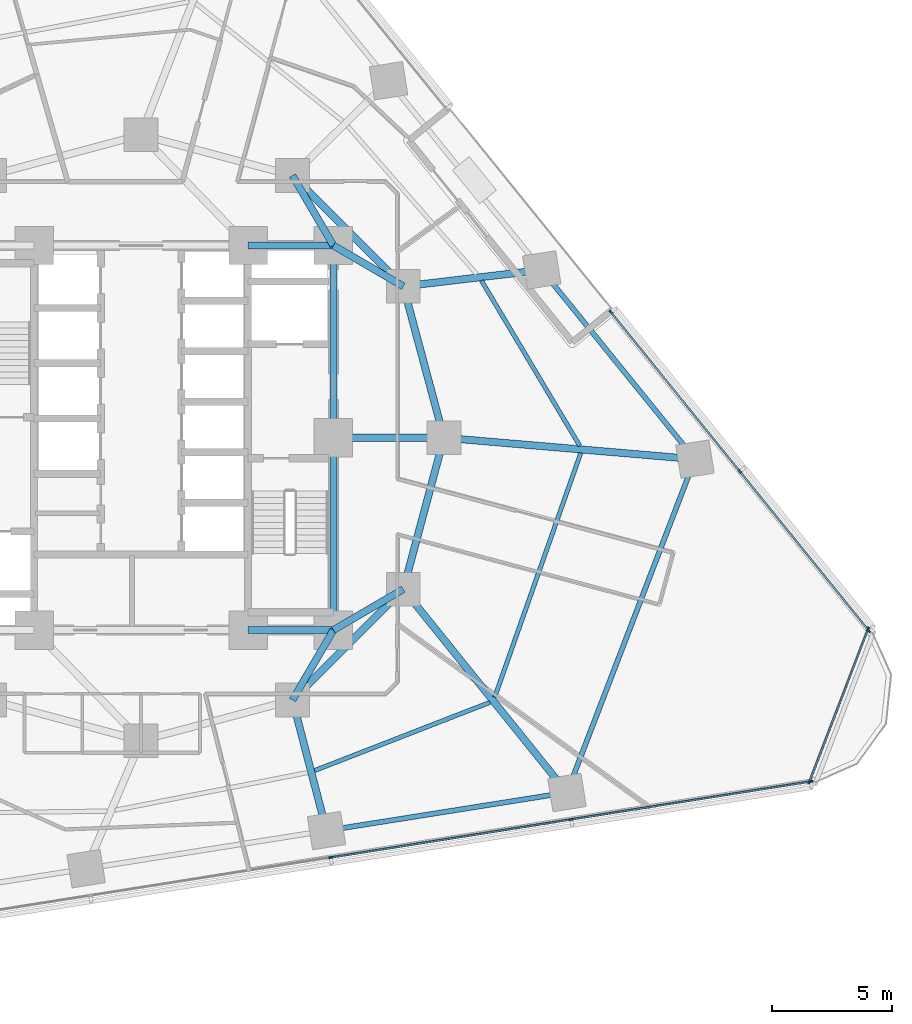
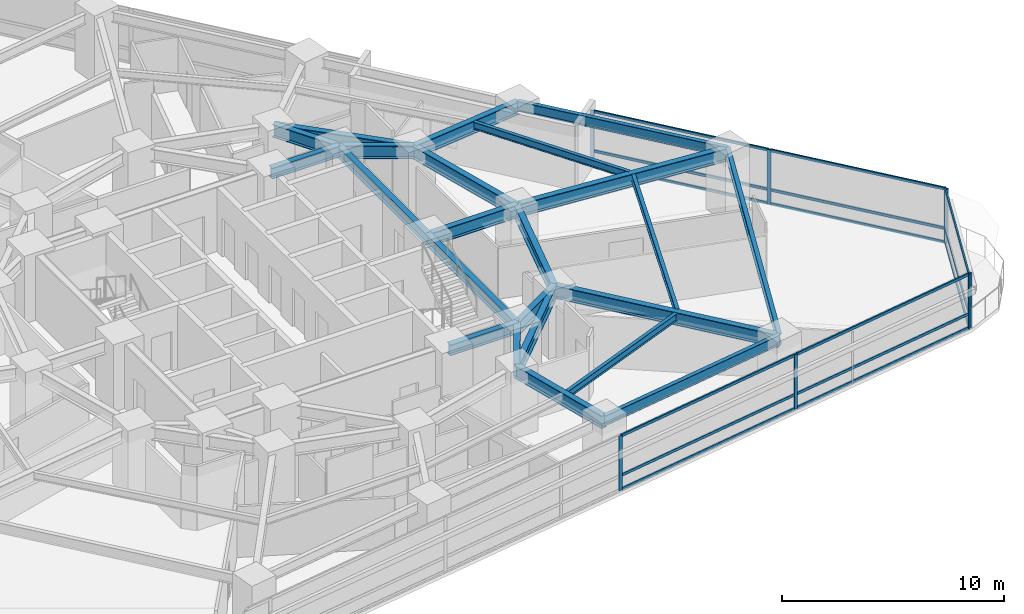
# One storey, part 4 of 14: 23 beams, 23 members, 3 elements without a shape of their own.
"""IFC4 building model written with IfcOpenShell, lengths in metres."""

import ifcopenshell
import ifcopenshell.guid

model = None  # the IFC model being written
_history = None  # IfcOwnerHistory: only IFC2X3 demands one
_inside = {}  # id of a spatial element -> (the spatial element, [elements in it])
_under = {}  # id of a project, library or spatial element -> (it, [spatial elements below it])
_declared = {}  # id of a project -> (the project, [libraries it declares])
_typed = {}  # id of a type object -> (the type object, [elements of that type])
_made_of = {}  # id of a material, layer set ... -> (it, [elements and type objects made of it])


def new_model(schema):
    """Start an empty IFC model of exactly this schema.

    Asked for "IFC4X3", IfcOpenShell would pick the latest addendum, in which some entities
    have other attributes; the version numbers below select the first issue.
    IFC2X3 requires an IfcOwnerHistory on every rooted entity: one is made here for all.
    """
    global model, _history
    if schema == "IFC4X3":
        model = ifcopenshell.file(schema_version=(4, 3, 0, 0))
    else:
        model = ifcopenshell.file(schema=schema)
    _inside.clear()
    _under.clear()
    _declared.clear()
    _typed.clear()
    _made_of.clear()
    _history = None
    if model.schema == "IFC2X3":
        org = make("IfcOrganization", Name="unknown")
        user = make(
            "IfcPersonAndOrganization",
            ThePerson=make("IfcPerson", FamilyName="unknown"),
            TheOrganization=org,
        )
        app = make(
            "IfcApplication",
            ApplicationDeveloper=org,
            Version="unknown",
            ApplicationFullName="unknown",
            ApplicationIdentifier="unknown",
        )
        _history = make(
            "IfcOwnerHistory",
            OwningUser=user,
            OwningApplication=app,
            ChangeAction="ADDED",
            CreationDate=0,
        )
    return model


def make(cls, **values):
    """One entity of the class cls with the attributes given. An attribute that is None is left unset."""
    return model.create_entity(
        cls, **{name: value for name, value in values.items() if value is not None}
    )


def rooted(cls, **values):
    """An entity with a GlobalId (a new one), such as an element, a storey or a relation."""
    return make(cls, GlobalId=ifcopenshell.guid.new(), OwnerHistory=_history, **values)


def si_unit(unit_type, name, prefix=None):
    """IfcSIUnit, for example si_unit("LENGTHUNIT", "METRE", prefix="MILLI")."""
    return make("IfcSIUnit", UnitType=unit_type, Prefix=prefix, Name=name)


def assignment(units):
    """IfcUnitAssignment: the units of a project."""
    return None if units is None else make("IfcUnitAssignment", Units=units)


def point(xyz):
    """IfcCartesianPoint."""
    return None if xyz is None else make("IfcCartesianPoint", Coordinates=xyz)


def direction(xyz):
    """IfcDirection."""
    return None if xyz is None else make("IfcDirection", DirectionRatios=xyz)


def frame(location, z_axis=None, x_axis=None):
    """IfcAxis2Placement3D, a coordinate frame: its origin and axes. An axis left out is left unset."""
    return make(
        "IfcAxis2Placement3D",
        Location=point(location),
        Axis=direction(z_axis),
        RefDirection=direction(x_axis),
    )


def frame_2d(location, x_axis=None):
    """IfcAxis2Placement2D, a coordinate frame in the plane: its origin and x axis."""
    return make(
        "IfcAxis2Placement2D", Location=point(location), RefDirection=direction(x_axis)
    )


def origin():
    """The frame at (0, 0, 0) with its axes left unset."""
    return frame((0.0, 0.0, 0.0))


def origin_2d():
    """The frame at (0, 0) in the plane with its x axis left unset."""
    return frame_2d((0.0, 0.0))


def place(relative_to, where):
    """IfcLocalPlacement: puts the frame where relative to a parent placement (None: the world)."""
    return make(
        "IfcLocalPlacement", PlacementRelTo=relative_to, RelativePlacement=where
    )


def context(
    kind, dimensions, precision=None, world=None, true_north=None, identifier=None
):
    """IfcGeometricRepresentationContext, for example the 3D "Model" context."""
    return make(
        "IfcGeometricRepresentationContext",
        ContextIdentifier=identifier,
        ContextType=kind,
        CoordinateSpaceDimension=dimensions,
        Precision=precision,
        WorldCoordinateSystem=world,
        TrueNorth=true_north,
    )


def subcontext(parent, identifier, kind, view, scale=None):
    """IfcGeometricRepresentationSubContext, for example "Body" below "Model"."""
    return make(
        "IfcGeometricRepresentationSubContext",
        ContextIdentifier=identifier,
        ContextType=kind,
        ParentContext=parent,
        TargetScale=scale,
        TargetView=view,
    )


def project(units=None, contexts=None):
    """IfcProject with its units and contexts."""
    return rooted(
        "IfcProject",
        Name="project",
        RepresentationContexts=contexts,
        UnitsInContext=assignment(units),
    )


def spatial(cls, under=None, at=None, **own):
    """A site, building, storey or space (cls), placed at a placement, below another one or the project."""
    s = rooted(cls, ObjectPlacement=at, **own)
    if under is not None:
        _under.setdefault(under.id(), (under, []))[1].append(s)
    return s


def profile(cls, at=None, kind="AREA", **sizes):
    """A parametric profile (cls). Its sizes go by their IFC names, for example OverallWidth=200.0."""
    return make(cls, ProfileType=kind, Position=at, **sizes)


def rectangle(**sizes):
    """IfcRectangleProfileDef."""
    return profile("IfcRectangleProfileDef", **sizes)


def i_section(**sizes):
    """IfcIShapeProfileDef."""
    return profile("IfcIShapeProfileDef", **sizes)


def extrude(swept, where, along, depth):
    """IfcExtrudedAreaSolid: the profile swept, set in the frame where, extruded along a direction by depth."""
    return make(
        "IfcExtrudedAreaSolid",
        SweptArea=swept,
        Position=where,
        ExtrudedDirection=direction(along),
        Depth=depth,
    )


def shape(context_of_items, identifier, shape_type, items):
    """IfcShapeRepresentation: the items that make up one representation, for example the "Body"."""
    return make(
        "IfcShapeRepresentation",
        ContextOfItems=context_of_items,
        RepresentationIdentifier=identifier,
        RepresentationType=shape_type,
        Items=items,
    )


def material(Name=None, Category=None):
    """IfcMaterial."""
    return make("IfcMaterial", Name=Name, Category=Category)


def layer(
    of_material, thickness, ventilated=None, Name=None, Category=None, Priority=None
):
    """IfcMaterialLayer: one layer of a wall or slab, of a material (None: an air gap)."""
    return make(
        "IfcMaterialLayer",
        Material=of_material,
        LayerThickness=thickness,
        IsVentilated=ventilated,
        Name=Name,
        Category=Category,
        Priority=Priority,
    )


def layer_set(layers, Name=None):
    """IfcMaterialLayerSet."""
    return make("IfcMaterialLayerSet", MaterialLayers=layers, LayerSetName=Name)


def material_profile(
    of_material, cross_section, Name=None, Category=None, Priority=None
):
    """IfcMaterialProfile: a cross section and its material."""
    return make(
        "IfcMaterialProfile",
        Name=Name,
        Material=of_material,
        Profile=cross_section,
        Priority=Priority,
        Category=Category,
    )


def profile_set(profiles, Name=None, composite=None):
    """IfcMaterialProfileSet."""
    return make(
        "IfcMaterialProfileSet",
        Name=Name,
        MaterialProfiles=profiles,
        CompositeProfile=composite,
    )


def made_of(thing, what):
    """Note that an element or type object is made of a material, layer set ...; save() writes the relation."""
    if what is not None:
        _made_of.setdefault(what.id(), (what, []))[1].append(thing)
    return thing


def type_object(cls, material=None, **own):
    """A type object (cls), such as IfcWallType, which elements share."""
    return made_of(rooted(cls, **own), material)


def element(
    cls,
    number,
    at=None,
    inside=None,
    cuts=None,
    type_object=None,
    material=None,
    context=None,
    identifier="Body",
    shape_type=None,
    held_by="IfcProductDefinitionShape",
    body=None,
    shapes=None,
    **own,
):
    """One element of the class cls, such as IfcWall. Its Tag is "e" and its number.

    at: its placement. inside: the storey or other place that contains it. cuts: it is an
    opening in that element (IfcRelVoidsElement). A single representation is given by context,
    identifier, shape_type and body (its items); several are given by shapes. held_by: the class
    of the entity that holds the representations. save() writes the other relations.
    """
    e = rooted(cls, Tag="e%d" % number, ObjectPlacement=at, **own)
    if body is not None:
        shapes = [shape(context, identifier, shape_type, body)]
    if shapes is not None:
        e.Representation = make(held_by, Representations=shapes)
    if inside is not None:
        _inside.setdefault(inside.id(), (inside, []))[1].append(e)
    if cuts is not None:
        rooted(
            "IfcRelVoidsElement", RelatingBuildingElement=cuts, RelatedOpeningElement=e
        )
    if type_object is not None:
        _typed.setdefault(type_object.id(), (type_object, []))[1].append(e)
    return made_of(e, material)


def aggregate(whole, parts):
    """IfcRelAggregates: a whole, such as a stair, and the parts it consists of."""
    return rooted("IfcRelAggregates", RelatingObject=whole, RelatedObjects=parts)


def save(model, path):
    """Write the relations noted so far, then the file.

    IfcRelAggregates (storeys below a building ...), IfcRelContainedInSpatialStructure (elements
    in a storey), IfcRelDefinesByType, IfcRelAssociatesMaterial and IfcRelDeclares: one each for
    every whole, place, type object, material and project.
    """
    for whole, parts in _under.values():
        aggregate(whole, parts)
    for where, things in _inside.values():
        rooted(
            "IfcRelContainedInSpatialStructure",
            RelatedElements=things,
            RelatingStructure=where,
        )
    for kind, things in _typed.values():
        rooted("IfcRelDefinesByType", RelatedObjects=things, RelatingType=kind)
    for what, things in _made_of.values():
        rooted("IfcRelAssociatesMaterial", RelatedObjects=things, RelatingMaterial=what)
    for by, libraries in _declared.values():
        rooted("IfcRelDeclares", RelatingContext=by, RelatedDefinitions=libraries)
    model.write(path)


model = new_model("IFC4")

# Units and contexts
model_context = context("Model", 3, precision=1e-05, world=origin(), true_north=direction((0.0, 1.0)))
body_context = subcontext(model_context, "Body", "Model", "MODEL_VIEW")
ifc_project = project(units=[si_unit("LENGTHUNIT", "METRE"), si_unit("AREAUNIT", "SQUARE_METRE"), si_unit("VOLUMEUNIT", "CUBIC_METRE"), si_unit("PLANEANGLEUNIT", "RADIAN"), si_unit("MASSUNIT", "GRAM", prefix="KILO")], contexts=[model_context])

# Site, building, storey
site_placement = place(None, origin())
site = spatial("IfcSite", under=ifc_project, at=site_placement, CompositionType="ELEMENT")
building_placement = place(site_placement, origin())
building = spatial("IfcBuilding", under=site, at=building_placement, Name="Terralouvre Media Tower", CompositionType="ELEMENT")
storey_placement = place(building_placement, frame((0.0, 0.0, 63.0)))
storey = spatial("IfcBuildingStorey", under=building, at=storey_placement, Name="L15", CompositionType="ELEMENT", Elevation=63.0)

# Beams
ifc_material_1 = material(Name="Structural steel S355J2", Category="steel")
ifc_material_profile_1 = material_profile(ifc_material_1, i_section(OverallWidth=0.179931640625, OverallDepth=0.39990234375, WebThickness=0.008544921875, FlangeThickness=0.013427734375, at=origin_2d()), Name="IPE 400")
ifc_profile_set_1 = profile_set([ifc_material_profile_1], Name="Structural steel S355J2")
beam_type_1 = type_object("IfcBeamType", Name="Composite Floor Joist J-IPE400 (IPE 400)", PredefinedType="JOIST", material=ifc_profile_set_1)
beam_1_placement = place(storey_placement, frame((7.21826171875, -13.844482421875, 3.300048828125), z_axis=(0.931999401601, 0.362459812139, 0.0), x_axis=(-0.362459812139, 0.931999401601, 0.0)))
element("IfcBeam", 1, at=beam_1_placement, inside=storey, type_object=beam_type_1, Name="L15 Framing Beam JT-L15-04", PredefinedType="JOIST", context=body_context, shape_type="SweptSolid", body=[
    extrude(i_section(OverallWidth=0.179931640625, OverallDepth=0.39990234375, WebThickness=0.008544921875, FlangeThickness=0.013427734375, at=origin_2d()), origin(), (0.0, 0.0, 1.0), 7.82470703125),
])
beam_2_placement = place(storey_placement, frame((14.713623046875, -10.78759765625, 3.300048828125), z_axis=(0.332419189209, 0.943131741935, 0.0), x_axis=(-0.943131741935, 0.332419189209, 0.0)))
element("IfcBeam", 2, at=beam_2_placement, inside=storey, type_object=beam_type_1, Name="L15 Framing Beam JT-L15-05", PredefinedType="JOIST", context=body_context, shape_type="SweptSolid", body=[
    extrude(i_section(OverallWidth=0.179931640625, OverallDepth=0.39990234375, WebThickness=0.008544921875, FlangeThickness=0.013427734375, at=origin_2d()), origin(), (0.0, 0.0, 1.0), 10.766845703125),
])
beam_3_placement = place(storey_placement, frame((18.250244140625, -0.331787109375, 3.300048828125), z_axis=(-0.511572999737, 0.859239818642, 0.0), x_axis=(-0.859239818642, -0.511572999737, 0.0)))
element("IfcBeam", 3, at=beam_3_placement, inside=storey, type_object=beam_type_1, Name="L15 Framing Beam JT-L15-06", PredefinedType="JOIST", context=body_context, shape_type="SweptSolid", body=[
    extrude(i_section(OverallWidth=0.179931640625, OverallDepth=0.39990234375, WebThickness=0.008544921875, FlangeThickness=0.013427734375, at=origin_2d()), origin(), (0.0, 0.0, 1.0), 7.99267578125),
])

# Curtain wall, members
ifc_material_2 = material(Name="Low-iron laminated double glazing with solar-control coating", Category="glass")
ifc_layer_1 = layer(ifc_material_2, 0.1650390625, Name="Lower Media Tower Unitised Curtain Wall CW-02")
ifc_layer_set_1 = layer_set([ifc_layer_1], Name="Low-iron laminated double glazing with solar-control coating")
curtain_wall_type_1 = type_object("IfcCurtainWallType", Name="Lower Media Tower Unitised Curtain Wall CW-02", PredefinedType="NOTDEFINED", material=ifc_layer_set_1)
curtain_wall_1_placement = place(storey_placement, origin())
curtain_wall_1 = element("IfcCurtainWall", 4, at=curtain_wall_1_placement, inside=storey, type_object=curtain_wall_type_1, Name="L15 Facade Curtain Wall F0", PredefinedType="NOTDEFINED")
ifc_material_3 = material(Name="Anodised extruded aluminium 6063-T6", Category="aluminium")
ifc_material_profile_2 = material_profile(ifc_material_3, rectangle(XDim=0.074951171875, YDim=0.14990234375, at=origin_2d()), Name="ALU 75x150")
ifc_profile_set_2 = profile_set([ifc_material_profile_2], Name="Anodised extruded aluminium 6063-T6")
member_type_1 = type_object("IfcMemberType", Name="Curtain-Wall Horizontal Transom TR-150", PredefinedType="USERDEFINED", material=ifc_profile_set_2)
member_1_placement = place(storey_placement, frame((7.929443359375, -17.452880859375, 0.03759765625), z_axis=(0.987690198625, 0.156422733448, 0.0), x_axis=(-0.156422733448, 0.987690198625, 0.0)))
member_1 = element("IfcMember", 5, at=member_1_placement, type_object=member_type_1, Name="CW-02 transom 4.1", ObjectType="TRANSOM", PredefinedType="USERDEFINED", context=body_context, shape_type="SweptSolid", body=[
    extrude(rectangle(XDim=0.074951171875, YDim=0.14990234375, at=origin_2d()), origin(), (0.0, 0.0, 1.0), 10.052978515625),
])
member_2_placement = place(storey_placement, frame((7.929443359375, -17.452880859375, 0.800048828125), z_axis=(0.987690198625, 0.156422733448, 0.0), x_axis=(-0.156422733448, 0.987690198625, 0.0)))
member_2 = element("IfcMember", 6, at=member_2_placement, type_object=member_type_1, Name="CW-02 transom 4.2", ObjectType="TRANSOM", PredefinedType="USERDEFINED", context=body_context, shape_type="SweptSolid", body=[
    extrude(rectangle(XDim=0.074951171875, YDim=0.14990234375, at=origin_2d()), origin(), (0.0, 0.0, 1.0), 10.052978515625),
])
member_3_placement = place(storey_placement, frame((7.929443359375, -17.452880859375, 2.96240234375), z_axis=(0.987690198625, 0.156422733448, 0.0), x_axis=(-0.156422733448, 0.987690198625, 0.0)))
member_3 = element("IfcMember", 7, at=member_3_placement, type_object=member_type_1, Name="CW-02 transom 4.3", ObjectType="TRANSOM", PredefinedType="USERDEFINED", context=body_context, shape_type="SweptSolid", body=[
    extrude(rectangle(XDim=0.074951171875, YDim=0.14990234375, at=origin_2d()), origin(), (0.0, 0.0, 1.0), 10.052978515625),
])
member_4_placement = place(storey_placement, frame((17.9326171875, -15.86865234375, 0.03759765625), z_axis=(0.987686755457, 0.156444472878, 0.0), x_axis=(-0.156444472878, 0.987686755457, 0.0)))
member_4 = element("IfcMember", 8, at=member_4_placement, type_object=member_type_1, Name="CW-02 transom 5.1", ObjectType="TRANSOM", PredefinedType="USERDEFINED", context=body_context, shape_type="SweptSolid", body=[
    extrude(rectangle(XDim=0.074951171875, YDim=0.14990234375, at=origin_2d()), origin(), (0.0, 0.0, 1.0), 10.015625),
])
member_5_placement = place(storey_placement, frame((17.9326171875, -15.86865234375, 0.800048828125), z_axis=(0.987686755457, 0.156444472878, 0.0), x_axis=(-0.156444472878, 0.987686755457, 0.0)))
member_5 = element("IfcMember", 9, at=member_5_placement, type_object=member_type_1, Name="CW-02 transom 5.2", ObjectType="TRANSOM", PredefinedType="USERDEFINED", context=body_context, shape_type="SweptSolid", body=[
    extrude(rectangle(XDim=0.074951171875, YDim=0.14990234375, at=origin_2d()), origin(), (0.0, 0.0, 1.0), 10.015625),
])
member_6_placement = place(storey_placement, frame((17.9326171875, -15.86865234375, 2.96240234375), z_axis=(0.987686755457, 0.156444472878, 0.0), x_axis=(-0.156444472878, 0.987686755457, 0.0)))
member_6 = element("IfcMember", 10, at=member_6_placement, type_object=member_type_1, Name="CW-02 transom 5.3", ObjectType="TRANSOM", PredefinedType="USERDEFINED", context=body_context, shape_type="SweptSolid", body=[
    extrude(rectangle(XDim=0.074951171875, YDim=0.14990234375, at=origin_2d()), origin(), (0.0, 0.0, 1.0), 10.015625),
])

curtain_wall_2_placement = place(storey_placement, origin())
curtain_wall_2 = element("IfcCurtainWall", 11, at=curtain_wall_2_placement, inside=storey, type_object=curtain_wall_type_1, Name="L15 Left Flank Curtain Wall F1", PredefinedType="NOTDEFINED")
member_7_placement = place(storey_placement, frame((30.247802734375, -7.990234375, 0.03759765625), z_axis=(-0.629336228302, 0.777133136436, 0.0), x_axis=(-0.777133136436, -0.629336228302, 0.0)))
member_7 = element("IfcMember", 12, at=member_7_placement, type_object=member_type_1, Name="CW-02 transom 1.1", ObjectType="TRANSOM", PredefinedType="USERDEFINED", context=body_context, shape_type="SweptSolid", body=[
    extrude(rectangle(XDim=0.074951171875, YDim=0.14990234375, at=origin_2d()), origin(), (0.0, 0.0, 1.0), 8.44775390625),
])
member_8_placement = place(storey_placement, frame((30.247802734375, -7.990234375, 0.800048828125), z_axis=(-0.629336228302, 0.777133136436, 0.0), x_axis=(-0.777133136436, -0.629336228302, 0.0)))
member_8 = element("IfcMember", 13, at=member_8_placement, type_object=member_type_1, Name="CW-02 transom 1.2", ObjectType="TRANSOM", PredefinedType="USERDEFINED", context=body_context, shape_type="SweptSolid", body=[
    extrude(rectangle(XDim=0.074951171875, YDim=0.14990234375, at=origin_2d()), origin(), (0.0, 0.0, 1.0), 8.44775390625),
])
member_9_placement = place(storey_placement, frame((30.247802734375, -7.990234375, 2.96240234375), z_axis=(-0.629336228302, 0.777133136436, 0.0), x_axis=(-0.777133136436, -0.629336228302, 0.0)))
member_9 = element("IfcMember", 14, at=member_9_placement, type_object=member_type_1, Name="CW-02 transom 1.3", ObjectType="TRANSOM", PredefinedType="USERDEFINED", context=body_context, shape_type="SweptSolid", body=[
    extrude(rectangle(XDim=0.074951171875, YDim=0.14990234375, at=origin_2d()), origin(), (0.0, 0.0, 1.0), 8.44775390625),
])
member_10_placement = place(storey_placement, frame((24.88427734375, -1.366943359375, 0.03759765625), z_axis=(-0.629318773805, 0.777147271073, 0.0), x_axis=(-0.777147271073, -0.629318773805, 0.0)))
member_10 = element("IfcMember", 15, at=member_10_placement, type_object=member_type_1, Name="CW-02 transom 2.1", ObjectType="TRANSOM", PredefinedType="USERDEFINED", context=body_context, shape_type="SweptSolid", body=[
    extrude(rectangle(XDim=0.074951171875, YDim=0.14990234375, at=origin_2d()), origin(), (0.0, 0.0, 1.0), 8.447509765625),
])
member_11_placement = place(storey_placement, frame((24.88427734375, -1.366943359375, 0.800048828125), z_axis=(-0.629318773805, 0.777147271073, 0.0), x_axis=(-0.777147271073, -0.629318773805, 0.0)))
member_11 = element("IfcMember", 16, at=member_11_placement, type_object=member_type_1, Name="CW-02 transom 2.2", ObjectType="TRANSOM", PredefinedType="USERDEFINED", context=body_context, shape_type="SweptSolid", body=[
    extrude(rectangle(XDim=0.074951171875, YDim=0.14990234375, at=origin_2d()), origin(), (0.0, 0.0, 1.0), 8.447509765625),
])
member_12_placement = place(storey_placement, frame((24.88427734375, -1.366943359375, 2.96240234375), z_axis=(-0.629318773805, 0.777147271073, 0.0), x_axis=(-0.777147271073, -0.629318773805, 0.0)))
member_12 = element("IfcMember", 17, at=member_12_placement, type_object=member_type_1, Name="CW-02 transom 2.3", ObjectType="TRANSOM", PredefinedType="USERDEFINED", context=body_context, shape_type="SweptSolid", body=[
    extrude(rectangle(XDim=0.074951171875, YDim=0.14990234375, at=origin_2d()), origin(), (0.0, 0.0, 1.0), 8.447509765625),
])

ifc_material_4 = material(Name="Low-iron laminated double glazing with solar-control coating", Category="glass")
ifc_layer_2 = layer(ifc_material_4, 0.1650390625, Name="Rounded Wind-Corner Curved Glazing CW-04")
ifc_layer_set_2 = layer_set([ifc_layer_2], Name="Low-iron laminated double glazing with solar-control coating")
curtain_wall_type_2 = type_object("IfcCurtainWallType", Name="Rounded Wind-Corner Curved Glazing CW-04", PredefinedType="NOTDEFINED", material=ifc_layer_set_2)
curtain_wall_3_placement = place(storey_placement, origin())
curtain_wall_3 = element("IfcCurtainWall", 18, at=curtain_wall_3_placement, inside=storey, type_object=curtain_wall_type_2, Name="L15 Rounded Wind-Corner Curtain Wall C1", PredefinedType="NOTDEFINED")
member_13_placement = place(storey_placement, frame((27.81396484375, -14.288330078125, 0.03759765625), z_axis=(0.358345802392, 0.933588927691, 0.0), x_axis=(-0.933588927691, 0.358345802392, 0.0)))
member_13 = element("IfcMember", 19, at=member_13_placement, type_object=member_type_1, Name="CW-04 transom 1.1", ObjectType="TRANSOM", PredefinedType="USERDEFINED", context=body_context, shape_type="SweptSolid", body=[
    extrude(rectangle(XDim=0.074951171875, YDim=0.14990234375, at=origin_2d()), origin(), (0.0, 0.0, 1.0), 6.743408203125),
])
member_14_placement = place(storey_placement, frame((27.81396484375, -14.288330078125, 0.800048828125), z_axis=(0.358345802392, 0.933588927691, 0.0), x_axis=(-0.933588927691, 0.358345802392, 0.0)))
member_14 = element("IfcMember", 20, at=member_14_placement, type_object=member_type_1, Name="CW-04 transom 1.2", ObjectType="TRANSOM", PredefinedType="USERDEFINED", context=body_context, shape_type="SweptSolid", body=[
    extrude(rectangle(XDim=0.074951171875, YDim=0.14990234375, at=origin_2d()), origin(), (0.0, 0.0, 1.0), 6.743408203125),
])
member_15_placement = place(storey_placement, frame((27.81396484375, -14.288330078125, 2.96240234375), z_axis=(0.358345802392, 0.933588927691, 0.0), x_axis=(-0.933588927691, 0.358345802392, 0.0)))
member_15 = element("IfcMember", 21, at=member_15_placement, type_object=member_type_1, Name="CW-04 transom 1.3", ObjectType="TRANSOM", PredefinedType="USERDEFINED", context=body_context, shape_type="SweptSolid", body=[
    extrude(rectangle(XDim=0.074951171875, YDim=0.14990234375, at=origin_2d()), origin(), (0.0, 0.0, 1.0), 6.743408203125),
])

# Member
ifc_material_5 = material(Name="Anodised extruded aluminium 6063-T6", Category="aluminium")
ifc_material_profile_3 = material_profile(ifc_material_5, rectangle(XDim=0.074951171875, YDim=0.179931640625, at=origin_2d()), Name="ALU 75x180")
ifc_profile_set_3 = profile_set([ifc_material_profile_3], Name="Anodised extruded aluminium 6063-T6")
member_type_2 = type_object("IfcMemberType", Name="Curtain-Wall Vertical Mullion ML-180", PredefinedType="MULLION", material=ifc_profile_set_3)
member_16_placement = place(storey_placement, frame((7.892333984375, -17.458740234375, 0.0), z_axis=(0.0, 0.0, 1.0), x_axis=(-0.156434462903, 0.987688340934, 0.0)))
member_16 = element("IfcMember", 22, at=member_16_placement, type_object=member_type_2, Name="CW-02 mullion 4", PredefinedType="MULLION", context=body_context, shape_type="SweptSolid", body=[
    extrude(rectangle(XDim=0.074951171875, YDim=0.179931640625, at=origin_2d()), origin(), (0.0, 0.0, 1.0), 3.0),
])

member_17_placement = place(storey_placement, frame((17.895751953125, -15.87451171875, 0.0), z_axis=(0.0, 0.0, 1.0), x_axis=(-0.156434462903, 0.987688340934, 0.0)))
member_17 = element("IfcMember", 23, at=member_17_placement, type_object=member_type_2, Name="CW-02 mullion 5", PredefinedType="MULLION", context=body_context, shape_type="SweptSolid", body=[
    extrude(rectangle(XDim=0.074951171875, YDim=0.179931640625, at=origin_2d()), origin(), (0.0, 0.0, 1.0), 3.0),
])

member_18_placement = place(storey_placement, frame((27.86181640625, -14.2958984375, 0.0), z_axis=(0.0, 0.0, 1.0), x_axis=(-0.156434462903, 0.987688340934, 0.0)))
member_18 = element("IfcMember", 24, at=member_18_placement, type_object=member_type_2, Name="CW-02 mullion 6", PredefinedType="MULLION", context=body_context, shape_type="SweptSolid", body=[
    extrude(rectangle(XDim=0.074951171875, YDim=0.179931640625, at=origin_2d()), origin(), (0.0, 0.0, 1.0), 3.0),
])

aggregate(curtain_wall_1, [member_16, member_17, member_18, member_1, member_2, member_3, member_4, member_5, member_6])

member_19_placement = place(storey_placement, frame((30.271240234375, -8.019287109375, 0.0), z_axis=(0.0, 0.0, 1.0), x_axis=(-0.777146133374, -0.62932017875, 0.0)))
member_19 = element("IfcMember", 25, at=member_19_placement, type_object=member_type_2, Name="CW-02 mullion 1", PredefinedType="MULLION", context=body_context, shape_type="SweptSolid", body=[
    extrude(rectangle(XDim=0.074951171875, YDim=0.179931640625, at=origin_2d()), origin(), (0.0, 0.0, 1.0), 3.0),
])

member_20_placement = place(storey_placement, frame((24.907958984375, -1.39599609375, 0.0), z_axis=(0.0, 0.0, 1.0), x_axis=(-0.777146133374, -0.62932017875, 0.0)))
member_20 = element("IfcMember", 26, at=member_20_placement, type_object=member_type_2, Name="CW-02 mullion 2", PredefinedType="MULLION", context=body_context, shape_type="SweptSolid", body=[
    extrude(rectangle(XDim=0.074951171875, YDim=0.179931640625, at=origin_2d()), origin(), (0.0, 0.0, 1.0), 3.0),
])

member_21_placement = place(storey_placement, frame((19.54443359375, 5.22705078125, 0.0), z_axis=(0.0, 0.0, 1.0), x_axis=(-0.777146133374, -0.62932017875, 0.0)))
member_21 = element("IfcMember", 27, at=member_21_placement, type_object=member_type_2, Name="CW-02 mullion 3", PredefinedType="MULLION", context=body_context, shape_type="SweptSolid", body=[
    extrude(rectangle(XDim=0.074951171875, YDim=0.179931640625, at=origin_2d()), origin(), (0.0, 0.0, 1.0), 3.0),
])

aggregate(curtain_wall_2, [member_19, member_20, member_21, member_7, member_8, member_9, member_10, member_11, member_12])

member_22_placement = place(storey_placement, frame((27.800537109375, -14.323486328125, 0.0), z_axis=(0.0, 0.0, 1.0), x_axis=(-0.933580609478, 0.358367472863, 0.0)))
member_22 = element("IfcMember", 28, at=member_22_placement, type_object=member_type_2, Name="CW-04 mullion 1", PredefinedType="MULLION", context=body_context, shape_type="SweptSolid", body=[
    extrude(rectangle(XDim=0.074951171875, YDim=0.179931640625, at=origin_2d()), origin(), (0.0, 0.0, 1.0), 3.0),
])

member_23_placement = place(storey_placement, frame((30.243896484375, -7.957763671875, 0.0), z_axis=(0.0, 0.0, 1.0), x_axis=(-0.933580609478, 0.358367472863, 0.0)))
member_23 = element("IfcMember", 29, at=member_23_placement, type_object=member_type_2, Name="CW-04 mullion 2", PredefinedType="MULLION", context=body_context, shape_type="SweptSolid", body=[
    extrude(rectangle(XDim=0.074951171875, YDim=0.179931640625, at=origin_2d()), origin(), (0.0, 0.0, 1.0), 3.0),
])

aggregate(curtain_wall_3, [member_22, member_23, member_13, member_14, member_15])

# Beams
ifc_material_6 = material(Name="Structural steel S355J2", Category="steel")
ifc_material_profile_4 = material_profile(ifc_material_6, i_section(OverallWidth=0.2099609375, OverallDepth=0.550048828125, WebThickness=0.010986328125, FlangeThickness=0.01708984375, at=origin_2d()), Name="IPE 550")
ifc_profile_set_4 = profile_set([ifc_material_profile_4], Name="Structural steel S355J2")
beam_type_2 = type_object("IfcBeamType", Name="Perimeter Spandrel Beam SPB-550 (IPE 550)", PredefinedType="SPANDREL", material=ifc_profile_set_4)
beam_4_placement = place(storey_placement, frame((7.715576171875, -16.3427734375, 3.22509765625), z_axis=(0.987686424887, 0.156446559869, 0.0), x_axis=(-0.156446559869, 0.987686424887, 0.0)))
element("IfcBeam", 30, at=beam_4_placement, inside=storey, type_object=beam_type_2, Name="L15 Framing Beam BM-L15-PR04", PredefinedType="SPANDREL", context=body_context, shape_type="SweptSolid", body=[
    extrude(i_section(OverallWidth=0.2099609375, OverallDepth=0.550048828125, WebThickness=0.010986328125, FlangeThickness=0.01708984375, at=origin_2d()), origin(), (0.0, 0.0, 1.0), 10.1279296875),
])
beam_5_placement = place(storey_placement, frame((17.71875, -14.75830078125, 3.22509765625), z_axis=(0.358377748767, 0.933576664869, 0.0), x_axis=(-0.933576664869, 0.358377748767, 0.0)))
element("IfcBeam", 31, at=beam_5_placement, inside=storey, type_object=beam_type_2, Name="L15 Framing Beam BM-L15-PR05", PredefinedType="SPANDREL", context=body_context, shape_type="SweptSolid", body=[
    extrude(i_section(OverallWidth=0.2099609375, OverallDepth=0.550048828125, WebThickness=0.010986328125, FlangeThickness=0.01708984375, at=origin_2d()), origin(), (0.0, 0.0, 1.0), 14.8564453125),
])
beam_6_placement = place(storey_placement, frame((23.04296875, -0.888671875, 3.22509765625), z_axis=(-0.629314025627, 0.777151116031, 0.0), x_axis=(-0.777151116031, -0.629314025627, 0.0)))
element("IfcBeam", 32, at=beam_6_placement, inside=storey, type_object=beam_type_2, Name="L15 Framing Beam BM-L15-PR06", PredefinedType="SPANDREL", context=body_context, shape_type="SweptSolid", body=[
    extrude(i_section(OverallWidth=0.2099609375, OverallDepth=0.550048828125, WebThickness=0.010986328125, FlangeThickness=0.01708984375, at=origin_2d()), origin(), (0.0, 0.0, 1.0), 10.128173828125),
])
ifc_material_7 = material(Name="Structural steel S460M", Category="steel")
ifc_material_profile_5 = material_profile(ifc_material_7, i_section(OverallWidth=0.300048828125, OverallDepth=0.60009765625, WebThickness=0.015380859375, FlangeThickness=0.030029296875, at=origin_2d()), Name="HEB 600")
ifc_profile_set_5 = profile_set([ifc_material_profile_5], Name="Structural steel S460M")
beam_type_3 = type_object("IfcBeamType", Name="Primary Floor Girder B-HEB600 (HEB 600)", PredefinedType="BEAM", material=ifc_profile_set_5)
beam_7_placement = place(storey_placement, frame((4.449951171875, -8.0, 3.199951171875), z_axis=(1.0, 0.0, 0.0), x_axis=(0.0, 1.0, 0.0)))
element("IfcBeam", 33, at=beam_7_placement, inside=storey, type_object=beam_type_3, Name="L15 Framing Beam BM-L15-CPR03", PredefinedType="BEAM", context=body_context, shape_type="SweptSolid", body=[
    extrude(i_section(OverallWidth=0.300048828125, OverallDepth=0.60009765625, WebThickness=0.015380859375, FlangeThickness=0.030029296875, at=origin_2d()), origin(), (0.0, 0.0, 1.0), 3.550048828125),
])
for number, where, z_axis, x_axis, name in (
    (34, (8.0, -8.0, 3.199951171875), (0.0, 1.0, 0.0), (-1.0, 0.0, 0.0), "L15 Framing Beam BM-L15-CPR04"),
    (35, (8.0, 0.0, 3.199951171875), (0.0, 1.0, 0.0), (-1.0, 0.0, 0.0), "L15 Framing Beam BM-L15-CPR05"),
):
    element("IfcBeam", number, at=place(storey_placement, frame(where, z_axis=z_axis, x_axis=x_axis)), inside=storey, type_object=beam_type_3, Name=name, PredefinedType="BEAM", context=body_context, shape_type="SweptSolid", body=[
        extrude(i_section(OverallWidth=0.300048828125, OverallDepth=0.60009765625, WebThickness=0.015380859375, FlangeThickness=0.030029296875, at=origin_2d()), origin(), (0.0, 0.0, 1.0), 8.0),
    ])
beam_8_placement = place(storey_placement, frame((8.0, 8.0, 3.199951171875), z_axis=(-1.0, 0.0, 0.0), x_axis=(0.0, -1.0, 0.0)))
element("IfcBeam", 36, at=beam_8_placement, inside=storey, type_object=beam_type_3, Name="L15 Framing Beam BM-L15-CPR06", PredefinedType="BEAM", context=body_context, shape_type="SweptSolid", body=[
    extrude(i_section(OverallWidth=0.300048828125, OverallDepth=0.60009765625, WebThickness=0.015380859375, FlangeThickness=0.030029296875, at=origin_2d()), origin(), (0.0, 0.0, 1.0), 3.550048828125),
])
ifc_material_8 = material(Name="Structural steel S460M", Category="steel")
ifc_material_profile_6 = material_profile(ifc_material_8, i_section(OverallWidth=0.300048828125, OverallDepth=0.699951171875, WebThickness=0.01708984375, FlangeThickness=0.031982421875, at=origin_2d()), Name="HEB 700")
ifc_profile_set_6 = profile_set([ifc_material_profile_6], Name="Structural steel S460M")
beam_type_4 = type_object("IfcBeamType", Name="Primary Floor Girder B-HEB700 (HEB 700)", PredefinedType="BEAM", material=ifc_profile_set_6)
beam_9_placement = place(storey_placement, frame((6.300048828125, -10.911865234375, 3.14990234375), z_axis=(0.707106781187, 0.707106781187, 0.0), x_axis=(-0.707106781187, 0.707106781187, 0.0)))
element("IfcBeam", 37, at=beam_9_placement, inside=storey, type_object=beam_type_4, Name="L15 Framing Beam BM-L15-MR04", PredefinedType="BEAM", context=body_context, shape_type="SweptSolid", body=[
    extrude(i_section(OverallWidth=0.300048828125, OverallDepth=0.699951171875, WebThickness=0.01708984375, FlangeThickness=0.031982421875, at=origin_2d()), origin(), (0.0, 0.0, 1.0), 6.52197265625),
])
for number, where, z_axis, x_axis, name in (
    (38, (10.911865234375, -6.300048828125, 3.14990234375), (0.258838989821, 0.965920481897, 0.0), (-0.965920481897, 0.258838989821, 0.0), "L15 Framing Beam BM-L15-MR05"),
    (39, (12.60009765625, 0.0, 3.14990234375), (-0.258838989821, 0.965920481897, 0.0), (-0.965920481897, -0.258838989821, 0.0), "L15 Framing Beam BM-L15-MR06"),
):
    element("IfcBeam", number, at=place(storey_placement, frame(where, z_axis=z_axis, x_axis=x_axis)), inside=storey, type_object=beam_type_4, Name=name, PredefinedType="BEAM", context=body_context, shape_type="SweptSolid", body=[
        extrude(i_section(OverallWidth=0.300048828125, OverallDepth=0.699951171875, WebThickness=0.01708984375, FlangeThickness=0.031982421875, at=origin_2d()), origin(), (0.0, 0.0, 1.0), 6.522216796875),
    ])
beam_10_placement = place(storey_placement, frame((10.911865234375, 6.300048828125, 3.14990234375), z_axis=(-0.707106781187, 0.707106781187, 0.0), x_axis=(-0.707106781187, -0.707106781187, 0.0)))
element("IfcBeam", 40, at=beam_10_placement, inside=storey, type_object=beam_type_4, Name="L15 Framing Beam BM-L15-MR07", PredefinedType="BEAM", context=body_context, shape_type="SweptSolid", body=[
    extrude(i_section(OverallWidth=0.300048828125, OverallDepth=0.699951171875, WebThickness=0.01708984375, FlangeThickness=0.031982421875, at=origin_2d()), origin(), (0.0, 0.0, 1.0), 6.52197265625),
])
for number, where, z_axis, x_axis, name in (
    (41, (8.0, -8.0, 3.14990234375), (-0.504172629717, -0.863602894532, 0.0), (0.863602894532, -0.504172629717, 0.0), "L15 Framing Beam BM-L15-CM04"),
    (42, (8.0, -8.0, 3.14990234375), (0.863602894532, 0.504172629717, 0.0), (-0.504172629717, 0.863602894532, 0.0), "L15 Framing Beam BM-L15-CM05"),
):
    element("IfcBeam", number, at=place(storey_placement, frame(where, z_axis=z_axis, x_axis=x_axis)), inside=storey, type_object=beam_type_4, Name=name, PredefinedType="BEAM", context=body_context, shape_type="SweptSolid", body=[
        extrude(i_section(OverallWidth=0.300048828125, OverallDepth=0.699951171875, WebThickness=0.01708984375, FlangeThickness=0.031982421875, at=origin_2d()), origin(), (0.0, 0.0, 1.0), 3.371826171875),
    ])
beam_11_placement = place(storey_placement, frame((8.0, 0.0, 3.14990234375), z_axis=(1.0, 0.0, 0.0), x_axis=(0.0, 1.0, 0.0)))
element("IfcBeam", 43, at=beam_11_placement, inside=storey, type_object=beam_type_4, Name="L15 Framing Beam BM-L15-CM06", PredefinedType="BEAM", context=body_context, shape_type="SweptSolid", body=[
    extrude(i_section(OverallWidth=0.300048828125, OverallDepth=0.699951171875, WebThickness=0.01708984375, FlangeThickness=0.031982421875, at=origin_2d()), origin(), (0.0, 0.0, 1.0), 4.60009765625),
])
for number, where, z_axis, x_axis, name in (
    (44, (8.0, 8.0, 3.14990234375), (0.863602894532, -0.504172629717, 0.0), (0.504172629717, 0.863602894532, 0.0), "L15 Framing Beam BM-L15-CM07"),
    (45, (8.0, 8.0, 3.14990234375), (-0.504172629717, 0.863602894532, 0.0), (-0.863602894532, -0.504172629717, 0.0), "L15 Framing Beam BM-L15-CM08"),
):
    element("IfcBeam", number, at=place(storey_placement, frame(where, z_axis=z_axis, x_axis=x_axis)), inside=storey, type_object=beam_type_4, Name=name, PredefinedType="BEAM", context=body_context, shape_type="SweptSolid", body=[
        extrude(i_section(OverallWidth=0.300048828125, OverallDepth=0.699951171875, WebThickness=0.01708984375, FlangeThickness=0.031982421875, at=origin_2d()), origin(), (0.0, 0.0, 1.0), 3.371826171875),
    ])
beam_12_placement = place(storey_placement, frame((6.300048828125, -10.911865234375, 3.14990234375), z_axis=(0.252216476238, -0.967670837172, 0.0), x_axis=(0.967670837172, 0.252216476238, 0.0)))
element("IfcBeam", 46, at=beam_12_placement, inside=storey, type_object=beam_type_4, Name="L15 Framing Beam BM-L15-RD04", PredefinedType="BEAM", context=body_context, shape_type="SweptSolid", body=[
    extrude(i_section(OverallWidth=0.300048828125, OverallDepth=0.699951171875, WebThickness=0.01708984375, FlangeThickness=0.031982421875, at=origin_2d()), origin(), (0.0, 0.0, 1.0), 5.6123046875),
])
beam_13_placement = place(storey_placement, frame((10.911865234375, -6.300048828125, 3.14990234375), z_axis=(0.626954818356, -0.779055617874, 0.0), x_axis=(0.779055617874, 0.626954818356, 0.0)))
element("IfcBeam", 47, at=beam_13_placement, inside=storey, type_object=beam_type_4, Name="L15 Framing Beam BM-L15-RD05", PredefinedType="BEAM", context=body_context, shape_type="SweptSolid", body=[
    extrude(i_section(OverallWidth=0.300048828125, OverallDepth=0.699951171875, WebThickness=0.01708984375, FlangeThickness=0.031982421875, at=origin_2d()), origin(), (0.0, 0.0, 1.0), 10.857177734375),
])
beam_14_placement = place(storey_placement, frame((12.60009765625, 0.0, 3.14990234375), z_axis=(0.996398677219, -0.084791957382, 0.0), x_axis=(0.084791957382, 0.996398677219, 0.0)))
element("IfcBeam", 48, at=beam_14_placement, inside=storey, type_object=beam_type_4, Name="L15 Framing Beam BM-L15-RD06", PredefinedType="BEAM", context=body_context, shape_type="SweptSolid", body=[
    extrude(i_section(OverallWidth=0.300048828125, OverallDepth=0.699951171875, WebThickness=0.01708984375, FlangeThickness=0.031982421875, at=origin_2d()), origin(), (0.0, 0.0, 1.0), 10.480712890625),
])
beam_15_placement = place(storey_placement, frame((10.911865234375, 6.300048828125, 3.14990234375), z_axis=(0.993049341372, 0.117698791838, 0.0), x_axis=(-0.117698791838, 0.993049341372, 0.0)))
element("IfcBeam", 49, at=beam_15_placement, inside=storey, type_object=beam_type_4, Name="L15 Framing Beam BM-L15-RD07", PredefinedType="BEAM", context=body_context, shape_type="SweptSolid", body=[
    extrude(i_section(OverallWidth=0.300048828125, OverallDepth=0.699951171875, WebThickness=0.01708984375, FlangeThickness=0.031982421875, at=origin_2d()), origin(), (0.0, 0.0, 1.0), 5.797607421875),
])

save(model, "model.ifc")
